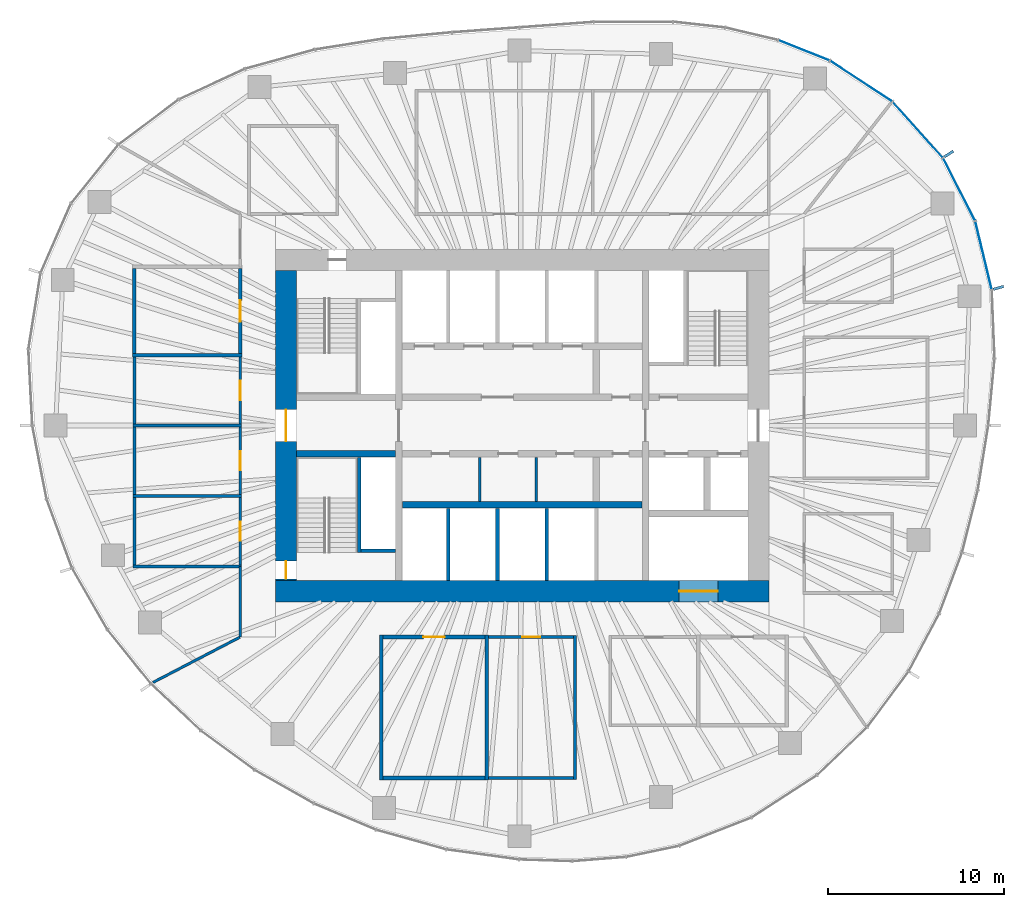
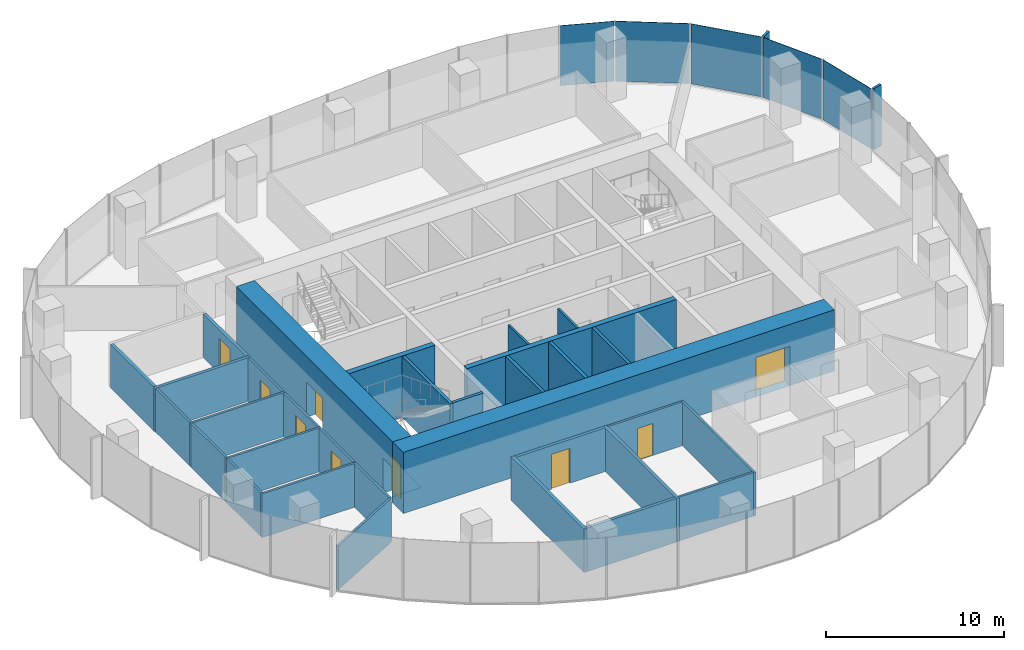
# One storey, part 8 of 12: 32 walls, 9 doors, 7 plates, 9 openings, 3 elements without a shape of their own.
"""IFC4 building model written with IfcOpenShell, lengths in metres."""

from ifc_helpers import new_model, si_unit, direction, frame, frame_2d, origin, origin_2d, place, context, subcontext, project, spatial, rectangle, extrude, material, layer, layer_set, type_object, element, fill, aggregate, save


model = new_model("IFC4")

# Units and contexts
model_context = context("Model", 3, precision=1e-05, world=origin(), true_north=direction((0.0, 1.0)))
body_context = subcontext(model_context, "Body", "Model", "MODEL_VIEW")
ifc_project = project(units=[si_unit("LENGTHUNIT", "METRE"), si_unit("AREAUNIT", "SQUARE_METRE"), si_unit("VOLUMEUNIT", "CUBIC_METRE"), si_unit("PLANEANGLEUNIT", "RADIAN"), si_unit("MASSUNIT", "GRAM", prefix="KILO")], contexts=[model_context])

# Site, building, storey
site_placement = place(None, origin())
site = spatial("IfcSite", under=ifc_project, at=site_placement, CompositionType="ELEMENT")
building_placement = place(site_placement, origin())
building = spatial("IfcBuilding", under=site, at=building_placement, Name="Ghaith Harvest Tower", CompositionType="ELEMENT")
storey_placement = place(building_placement, frame((0.0, 0.0, 224.199951171875)))
storey = spatial("IfcBuildingStorey", under=building, at=storey_placement, Name="L49", CompositionType="ELEMENT", Elevation=224.199951171875)

# Curtain wall, plates
ifc_material_1 = material(Name="Black anodised aluminium and fritted glass", Category="aluminium")
curtain_wall_type = type_object("IfcCurtainWallType", Name="CW-H CURTAIN WALL", PredefinedType="NOTDEFINED", material=ifc_material_1)
curtain_wall_1_placement = place(storey_placement, origin())
curtain_wall_1 = element("IfcCurtainWall", 1, at=curtain_wall_1_placement, inside=storey, type_object=curtain_wall_type, Name="Curtain wall CW-H bay 02 L49", PredefinedType="NOTDEFINED")
ifc_material_2 = material(Name="Glass, dark solar-control fritted double glazed unit", Category="glass")
ifc_layer_1 = layer(ifc_material_2, 0.030029296875)
ifc_layer_set_1 = layer_set([ifc_layer_1], Name="CW-H VISION PANEL")
plate_type_1 = type_object("IfcPlateType", Name="CW-H VISION PANEL", PredefinedType="CURTAIN_PANEL", material=ifc_layer_set_1)
plate_1_placement = place(storey_placement, frame((26.1767578125, 9.6533203125, 0.080078125), z_axis=(0.0, 0.0, 1.0), x_axis=(-0.233894000303, 0.972262102842, 0.0)))
plate_1 = element("IfcPlate", 2, at=plate_1_placement, type_object=plate_type_1, Name="CW-H glass unit 1 bay 02 L49", PredefinedType="CURTAIN_PANEL", context=body_context, shape_type="SweptSolid", body=[
    extrude(rectangle(XDim=3.935546875, YDim=0.030029296875, at=origin_2d()), origin(), (0.0, 0.0, 1.0), 4.1201171875),
])
plate_2_placement = place(storey_placement, frame((24.790771484375, 13.399658203125, 0.080078125), z_axis=(0.0, 0.0, 1.0), x_axis=(-0.454915320985, 0.890534699342, 0.0)))
plate_2 = element("IfcPlate", 3, at=plate_2_placement, type_object=plate_type_1, Name="CW-H glass unit 2 bay 02 L49", PredefinedType="CURTAIN_PANEL", context=body_context, shape_type="SweptSolid", body=[
    extrude(rectangle(XDim=3.949462890625, YDim=0.030029296875, at=origin_2d()), origin(), (0.0, 0.0, 1.0), 4.1201171875),
])
aggregate(curtain_wall_1, [plate_1, plate_2])

curtain_wall_2_placement = place(storey_placement, origin())
curtain_wall_2 = element("IfcCurtainWall", 4, at=curtain_wall_2_placement, inside=storey, type_object=curtain_wall_type, Name="Curtain wall CW-H bay 03 L49", PredefinedType="NOTDEFINED")
plate_3_placement = place(storey_placement, frame((22.44384765625, 16.783935546875, 0.080078125), z_axis=(0.0, 0.0, 1.0), x_axis=(-0.668757736889, 0.743480389352, 0.0)))
plate_3 = element("IfcPlate", 5, at=plate_3_placement, type_object=plate_type_1, Name="CW-H glass unit 1 bay 03 L49", PredefinedType="CURTAIN_PANEL", context=body_context, shape_type="SweptSolid", body=[
    extrude(rectangle(XDim=4.19775390625, YDim=0.030029296875, at=origin_2d()), origin(), (0.0, 0.0, 1.0), 4.1201171875),
])
plate_4_placement = place(storey_placement, frame((19.236328125, 19.539306640625, 0.080078125), z_axis=(0.0, 0.0, 1.0), x_axis=(-0.836276741583, 0.548307588392, 0.0)))
plate_4 = element("IfcPlate", 6, at=plate_4_placement, type_object=plate_type_1, Name="CW-H glass unit 2 bay 03 L49", PredefinedType="CURTAIN_PANEL", context=body_context, shape_type="SweptSolid", body=[
    extrude(rectangle(XDim=4.169677734375, YDim=0.030029296875, at=origin_2d()), origin(), (0.0, 0.0, 1.0), 4.1201171875),
])
aggregate(curtain_wall_2, [plate_3, plate_4])

# Curtain wall, plate
curtain_wall_3_placement = place(storey_placement, origin())
curtain_wall_3 = element("IfcCurtainWall", 7, at=curtain_wall_3_placement, inside=storey, type_object=curtain_wall_type, Name="Curtain wall CW-H bay 04 L49", PredefinedType="NOTDEFINED")
plate_5_placement = place(storey_placement, frame((15.993408203125, 21.287841796875, 0.080078125), z_axis=(0.0, 0.0, 1.0), x_axis=(-0.929107322045, 0.369810200133, 0.0)))
plate_5 = element("IfcPlate", 8, at=plate_5_placement, type_object=plate_type_1, Name="CW-H glass unit 1 bay 04 L49", PredefinedType="CURTAIN_PANEL", context=body_context, shape_type="SweptSolid", body=[
    extrude(rectangle(XDim=3.075927734375, YDim=0.030029296875, at=origin_2d()), origin(), (0.0, 0.0, 1.0), 4.1201171875),
])
aggregate(curtain_wall_3, [plate_5])

# Plates
ifc_material_3 = material(Name="Glassfibre-reinforced concrete", Category="concrete")
ifc_layer_2 = layer(ifc_material_3, 0.14990234375)
ifc_layer_set_2 = layer_set([ifc_layer_2], Name="SUN-BREAKER FIN 600x150")
plate_type_2 = type_object("IfcPlateType", Name="SUN-BREAKER FIN 600x150", PredefinedType="USERDEFINED", material=ifc_layer_set_2)
for number, where, z_axis, x_axis, name in (
    (9, (27.03076171875, 7.8125, 0.0), (0.0, 0.0, 1.0), (0.960680349985, 0.277656739792, 0.0), "Sun-breaker fin CW-H 1 bay 02 L49"),
    (10, (24.211669921875, 15.408447265625, 0.0), (0.0, 0.0, 1.0), (0.843643971464, 0.536903016766, 0.0), "Sun-breaker fin CW-H 1 bay 03 L49"),
):
    element("IfcPlate", number, at=place(storey_placement, frame(where, z_axis=z_axis, x_axis=x_axis)), inside=storey, type_object=plate_type_2, Name=name, ObjectType="SUN-BREAKER FIN", PredefinedType="USERDEFINED", context=body_context, shape_type="SweptSolid", body=[
        extrude(rectangle(XDim=0.60009765625, YDim=0.14990234375, at=origin_2d()), origin(), (0.0, 0.0, 1.0), 4.199951171875),
    ])

# Walls
ifc_material_4 = material(Name="Twin-stud gypsum board, acoustic", Category="gypsum")
ifc_layer_3 = layer(ifc_material_4, 0.199951171875)
ifc_layer_set_3 = layer_set([ifc_layer_3], Name="ACOUSTIC PARTITION 200")
wall_type_1 = type_object("IfcWallType", Name="ACOUSTIC PARTITION 200", PredefinedType="PARTITIONING", material=ifc_layer_set_3)
for number, where, z_axis, x_axis, name in (
    (11, (-8.0, -11.89990234375, 0.0), (0.0, 0.0, 1.0), (0.0, -1.0, 0.0), "Partition L49 row S3 cross wall 1"),
    (12, (-2.0, -11.89990234375, 0.0), (0.0, 0.0, 1.0), (0.0, -1.0, 0.0), "Partition L49 row S3 cross wall 2"),
):
    element("IfcWall", number, at=place(storey_placement, frame(where, z_axis=z_axis, x_axis=x_axis)), inside=storey, type_object=wall_type_1, Name=name, PredefinedType="PARTITIONING", context=body_context, shape_type="SweptSolid", body=[
        extrude(rectangle(XDim=8.2001953125, YDim=0.199951171875, at=frame_2d((4.10009765625, 0.0))), origin(), (0.0, 0.0, 1.0), 3.0),
    ])

# Wall, opening, door
wall_1_placement = place(storey_placement, frame((-7.89990234375, -12.0, 0.0), z_axis=(0.0, 0.0, 1.0), x_axis=(1.0, 0.0, 0.0)))
wall_1 = element("IfcWall", 13, at=wall_1_placement, inside=storey, type_object=wall_type_1, Name="Partition L49-04", PredefinedType="PARTITIONING", context=body_context, shape_type="SweptSolid", body=[
    extrude(rectangle(XDim=5.7998046875, YDim=0.199951171875, at=frame_2d((2.89990234375, 0.0))), origin(), (0.0, 0.0, 1.0), 3.0),
])
opening_1_placement = place(wall_1_placement, frame((2.300048828125, 0.0, 0.0)))
opening_1 = element("IfcOpeningElement", 14, at=opening_1_placement, cuts=wall_1, Name="Opening 49-024", PredefinedType="OPENING", context=body_context, shape_type="SweptSolid", body=[
    extrude(rectangle(XDim=1.199951171875, YDim=2.39990234375, at=frame_2d((0.60009765625, 1.199951171875))), frame((0.0, 0.10986328125, 0.0), z_axis=(0.0, -1.0, 0.0), x_axis=(1.0, 0.0, 0.0)), (0.0, 0.0, 1.0), 0.219970703125),
])
ifc_material_5 = material(Name="Timber door", Category="wood")
door_type_1 = type_object("IfcDoorType", Name="D11 GLAZED 1200x2400", OperationType="SINGLE_SWING_LEFT", PredefinedType="DOOR", material=ifc_material_5)
door_1_placement = place(opening_1_placement, origin())
door_1 = element("IfcDoor", 15, at=door_1_placement, inside=storey, type_object=door_type_1, Name="Meeting room door", OperationType="SINGLE_SWING_LEFT", OverallHeight=2.39990234375, OverallWidth=1.199951171875, PredefinedType="DOOR", context=body_context, shape_type="SweptSolid", body=[
    extrude(rectangle(XDim=1.199951171875, YDim=2.39990234375, at=frame_2d((0.60009765625, 1.199951171875))), frame((0.0, 0.02490234375, 0.0), z_axis=(0.0, -1.0, 0.0), x_axis=(1.0, 0.0, 0.0)), (0.0, 0.0, 1.0), 0.050048828125),
])
fill(opening_1, door_1)

# Walls
wall_2_placement = place(storey_placement, frame((-7.89990234375, -20.0, 0.0), z_axis=(0.0, 0.0, 1.0), x_axis=(1.0, 0.0, 0.0)))
element("IfcWall", 16, at=wall_2_placement, inside=storey, type_object=wall_type_1, Name="Partition L49-04", PredefinedType="PARTITIONING", context=body_context, shape_type="SweptSolid", body=[
    extrude(rectangle(XDim=5.7998046875, YDim=0.199951171875, at=frame_2d((2.89990234375, 0.0))), origin(), (0.0, 0.0, 1.0), 3.0),
])
wall_3_placement = place(storey_placement, frame((-15.89990234375, 4.0, 0.0), z_axis=(0.0, 0.0, 1.0), x_axis=(-1.0, 0.0, 0.0)))
element("IfcWall", 17, at=wall_3_placement, inside=storey, type_object=wall_type_1, Name="Partition L49 row W6 cross wall 4", PredefinedType="PARTITIONING", context=body_context, shape_type="SweptSolid", body=[
    extrude(rectangle(XDim=6.2001953125, YDim=0.199951171875, at=frame_2d((3.10009765625, 0.0))), origin(), (0.0, 0.0, 1.0), 3.0),
])

# Wall, opening, door
wall_4_placement = place(storey_placement, frame((-16.0, 4.10009765625, 0.0), z_axis=(0.0, 0.0, 1.0), x_axis=(0.0, 1.0, 0.0)))
wall_4 = element("IfcWall", 18, at=wall_4_placement, inside=storey, type_object=wall_type_1, Name="Partition L49-12", PredefinedType="PARTITIONING", context=body_context, shape_type="SweptSolid", body=[
    extrude(rectangle(XDim=4.7998046875, YDim=0.199951171875, at=frame_2d((2.39990234375, 0.0))), origin(), (0.0, 0.0, 1.0), 3.0),
])
opening_2_placement = place(wall_4_placement, frame((1.800048828125, 0.0, 0.0)))
opening_2 = element("IfcOpeningElement", 19, at=opening_2_placement, cuts=wall_4, Name="Opening 49-032", PredefinedType="OPENING", context=body_context, shape_type="SweptSolid", body=[
    extrude(rectangle(XDim=1.199951171875, YDim=2.39990234375, at=frame_2d((0.60009765625, 1.199951171875))), frame((0.0, 0.10986328125, 0.0), z_axis=(0.0, -1.0, 0.0), x_axis=(1.0, 0.0, 0.0)), (0.0, 0.0, 1.0), 0.219970703125),
])
door_2_placement = place(opening_2_placement, origin())
door_2 = element("IfcDoor", 20, at=door_2_placement, inside=storey, type_object=door_type_1, Name="Meeting room door", OperationType="SINGLE_SWING_LEFT", OverallHeight=2.39990234375, OverallWidth=1.199951171875, PredefinedType="DOOR", context=body_context, shape_type="SweptSolid", body=[
    extrude(rectangle(XDim=1.199951171875, YDim=2.39990234375, at=frame_2d((0.60009765625, 1.199951171875))), frame((0.0, 0.02490234375, 0.0), z_axis=(0.0, -1.0, 0.0), x_axis=(1.0, 0.0, 0.0)), (0.0, 0.0, 1.0), 0.050048828125),
])
fill(opening_2, door_2)

# Walls
wall_5_placement = place(storey_placement, frame((-22.0, 4.10009765625, 0.0), z_axis=(0.0, 0.0, 1.0), x_axis=(0.0, 1.0, 0.0)))
element("IfcWall", 21, at=wall_5_placement, inside=storey, type_object=wall_type_1, Name="Partition L49-12", PredefinedType="PARTITIONING", context=body_context, shape_type="SweptSolid", body=[
    extrude(rectangle(XDim=4.7998046875, YDim=0.199951171875, at=frame_2d((2.39990234375, 0.0))), origin(), (0.0, 0.0, 1.0), 3.0),
])
ifc_material_6 = material(Name="Concrete blockwork, fair-faced", Category="masonry")
ifc_layer_4 = layer(ifc_material_6, 0.139892578125)
ifc_layer_set_4 = layer_set([ifc_layer_4], Name="CORE PARTITION 140")
wall_type_2 = type_object("IfcWallType", Name="CORE PARTITION 140", PredefinedType="PARTITIONING", material=ifc_layer_set_4)
for number, where, z_axis, x_axis, name in (
    (22, (-2.39990234375, -1.800048828125, 0.0), (0.0, 0.0, 1.0), (0.0, -1.0, 0.0), "Core partition L49"),
    (23, (0.800048828125, -1.800048828125, 0.0), (0.0, 0.0, 1.0), (0.0, -1.0, 0.0), "Core partition L49"),
):
    element("IfcWall", number, at=place(storey_placement, frame(where, z_axis=z_axis, x_axis=x_axis)), inside=storey, type_object=wall_type_2, Name=name, PredefinedType="PARTITIONING", context=body_context, shape_type="SweptSolid", body=[
        extrude(rectangle(XDim=2.5, YDim=0.139892578125, at=frame_2d((1.25, 0.0))), origin(), (0.0, 0.0, 1.0), 3.949951171875),
    ])

# Wall, opening, door
ifc_material_7 = material(Name="Concrete C60/75", Category="concrete")
ifc_layer_5 = layer(ifc_material_7, 1.199951171875)
ifc_layer_set_5 = layer_set([ifc_layer_5], Name="CORE WALL CW1200 C60")
wall_type_3 = type_object("IfcWallType", Name="CORE WALL CW1200 C60", PredefinedType="SHEAR", material=ifc_layer_set_5)
wall_6_placement = place(storey_placement, frame((-14.0, -9.39990234375, 0.0), z_axis=(0.0, 0.0, 1.0), x_axis=(1.0, 0.0, 0.0)))
wall_6 = element("IfcWall", 24, at=wall_6_placement, inside=storey, type_object=wall_type_3, Name="Core wall S L49", PredefinedType="SHEAR", context=body_context, shape_type="SweptSolid", body=[
    extrude(rectangle(XDim=28.0, YDim=1.199951171875, at=frame_2d((14.0, 0.0))), origin(), (0.0, 0.0, 1.0), 4.199951171875),
])
opening_3_placement = place(wall_6_placement, frame((22.89990234375, 0.0, 0.0)))
opening_3 = element("IfcOpeningElement", 25, at=opening_3_placement, cuts=wall_6, Name="Opening 49-020", PredefinedType="OPENING", context=body_context, shape_type="SweptSolid", body=[
    extrude(rectangle(XDim=2.199951171875, YDim=2.699951171875, at=frame_2d((1.10009765625, 1.35009765625))), frame((0.0, 0.60986328125, 0.0), z_axis=(0.0, -1.0, 0.0), x_axis=(1.0, 0.0, 0.0)), (0.0, 0.0, 1.0), 1.219970703125),
])
ifc_material_8 = material(Name="Steel fire door", Category="steel")
door_type_2 = type_object("IfcDoorType", Name="LD3 LANDING 2200x2700", OperationType="DOUBLE_DOOR_SLIDING", PredefinedType="DOOR", material=ifc_material_8)
door_3_placement = place(opening_3_placement, origin())
door_3 = element("IfcDoor", 26, at=door_3_placement, inside=storey, type_object=door_type_2, Name="Landing door, goods lift GL1", OperationType="DOUBLE_DOOR_SLIDING", OverallHeight=2.699951171875, OverallWidth=2.199951171875, PredefinedType="DOOR", context=body_context, shape_type="SweptSolid", body=[
    extrude(rectangle(XDim=2.199951171875, YDim=2.699951171875, at=frame_2d((1.10009765625, 1.35009765625))), frame((0.0, 0.02490234375, 0.0), z_axis=(0.0, -1.0, 0.0), x_axis=(1.0, 0.0, 0.0)), (0.0, 0.0, 1.0), 0.050048828125),
])
fill(opening_3, door_3)

# Wall, openings, doors
wall_7_placement = place(storey_placement, frame((-13.39990234375, 8.800048828125, 0.0), z_axis=(0.0, 0.0, 1.0), x_axis=(0.0, -1.0, 0.0)))
wall_7 = element("IfcWall", 27, at=wall_7_placement, inside=storey, type_object=wall_type_3, Name="Core wall W L49", PredefinedType="SHEAR", context=body_context, shape_type="SweptSolid", body=[
    extrude(rectangle(XDim=17.60009765625, YDim=1.199951171875, at=frame_2d((8.800048828125, 0.0))), origin(), (0.0, 0.0, 1.0), 4.199951171875),
])
opening_4_placement = place(wall_7_placement, frame((7.89990234375, 0.0, 0.0)))
opening_4 = element("IfcOpeningElement", 28, at=opening_4_placement, cuts=wall_7, Name="Opening 49-001", PredefinedType="OPENING", context=body_context, shape_type="SweptSolid", body=[
    extrude(rectangle(XDim=1.800048828125, YDim=2.39990234375, at=frame_2d((0.89990234375, 1.199951171875))), frame((0.0, 0.60986328125, 0.0), z_axis=(0.0, -1.0, 0.0), x_axis=(1.0, 0.0, 0.0)), (0.0, 0.0, 1.0), 1.219970703125),
])
opening_5_placement = place(wall_7_placement, frame((16.5, 0.0, 0.0)))
opening_5 = element("IfcOpeningElement", 29, at=opening_5_placement, cuts=wall_7, Name="Opening 49-006", PredefinedType="OPENING", context=body_context, shape_type="SweptSolid", body=[
    extrude(rectangle(XDim=1.0, YDim=2.39990234375, at=frame_2d((0.5, 1.199951171875))), frame((0.0, 0.60986328125, 0.0), z_axis=(0.0, -1.0, 0.0), x_axis=(1.0, 0.0, 0.0)), (0.0, 0.0, 1.0), 1.219970703125),
])
ifc_material_9 = material(Name="Steel fire door", Category="steel")
door_type_3 = type_object("IfcDoorType", Name="D3 FD90 1000x2400", OperationType="SINGLE_SWING_LEFT", PredefinedType="DOOR", material=ifc_material_9)
door_4_placement = place(opening_5_placement, origin())
door_4 = element("IfcDoor", 30, at=door_4_placement, inside=storey, type_object=door_type_3, Name="Stair ST3 door", OperationType="SINGLE_SWING_RIGHT", OverallHeight=2.39990234375, OverallWidth=1.0, PredefinedType="DOOR", context=body_context, shape_type="SweptSolid", body=[
    extrude(rectangle(XDim=1.0, YDim=2.39990234375, at=frame_2d((0.5, 1.199951171875))), frame((0.0, 0.02490234375, 0.0), z_axis=(0.0, -1.0, 0.0), x_axis=(1.0, 0.0, 0.0)), (0.0, 0.0, 1.0), 0.050048828125),
])
fill(opening_5, door_4)
ifc_material_10 = material(Name="Steel fire door", Category="steel")
door_type_4 = type_object("IfcDoorType", Name="D4 FD90 PAIR 1800x2400", OperationType="DOUBLE_DOOR_SINGLE_SWING", PredefinedType="DOOR", material=ifc_material_10)
door_5_placement = place(opening_4_placement, origin())
door_5 = element("IfcDoor", 31, at=door_5_placement, inside=storey, type_object=door_type_4, Name="West lobby doors", OperationType="DOUBLE_DOOR_SINGLE_SWING", OverallHeight=2.39990234375, OverallWidth=1.800048828125, PredefinedType="DOOR", context=body_context, shape_type="SweptSolid", body=[
    extrude(rectangle(XDim=1.800048828125, YDim=2.39990234375, at=frame_2d((0.89990234375, 1.199951171875))), frame((0.0, 0.02490234375, 0.0), z_axis=(0.0, -1.0, 0.0), x_axis=(1.0, 0.0, 0.0)), (0.0, 0.0, 1.0), 0.050048828125),
])
fill(opening_4, door_5)

# Walls
ifc_material_11 = material(Name="Concrete blockwork, 2-hour", Category="masonry")
ifc_layer_6 = layer(ifc_material_11, 0.199951171875)
ifc_layer_set_6 = layer_set([ifc_layer_6], Name="LIFT SHAFT WALL 200")
wall_type_4 = type_object("IfcWallType", Name="LIFT SHAFT WALL 200", PredefinedType="PARTITIONING", material=ifc_layer_set_6)
for number, where, z_axis, x_axis, name in (
    (32, (-4.199951171875, -4.699951171875, 0.0), (0.0, 0.0, 1.0), (0.0, -1.0, 0.0), "Lift shaft wall L49"),
    (33, (-1.39990234375, -4.699951171875, 0.0), (0.0, 0.0, 1.0), (0.0, -1.0, 0.0), "Lift shaft wall L49"),
    (34, (1.39990234375, -4.699951171875, 0.0), (0.0, 0.0, 1.0), (0.0, -1.0, 0.0), "Lift shaft wall L49"),
):
    element("IfcWall", number, at=place(storey_placement, frame(where, z_axis=z_axis, x_axis=x_axis)), inside=storey, type_object=wall_type_4, Name=name, PredefinedType="PARTITIONING", context=body_context, shape_type="SweptSolid", body=[
        extrude(rectangle(XDim=4.10009765625, YDim=0.199951171875, at=frame_2d((2.050048828125, 0.0))), origin(), (0.0, 0.0, 1.0), 4.199951171875),
    ])
ifc_material_12 = material(Name="Gypsum board on steel studs", Category="steel")
ifc_layer_7 = layer(ifc_material_12, 0.14990234375)
ifc_layer_set_7 = layer_set([ifc_layer_7], Name="PARTITION 150")
wall_type_5 = type_object("IfcWallType", Name="PARTITION 150", PredefinedType="PARTITIONING", material=ifc_layer_set_7)
wall_8_placement = place(storey_placement, frame((3.0, -11.925048828125, 0.0), z_axis=(0.0, 0.0, 1.0), x_axis=(0.0, -1.0, 0.0)))
element("IfcWall", 35, at=wall_8_placement, inside=storey, type_object=wall_type_5, Name="Partition L49 row S3 cross wall 3", PredefinedType="PARTITIONING", context=body_context, shape_type="SweptSolid", body=[
    extrude(rectangle(XDim=8.14990234375, YDim=0.14990234375, at=frame_2d((4.074951171875, 0.0))), origin(), (0.0, 0.0, 1.0), 3.0),
])

# Wall, opening, door
wall_9_placement = place(storey_placement, frame((-1.89990234375, -12.0, 0.0), z_axis=(0.0, 0.0, 1.0), x_axis=(1.0, 0.0, 0.0)))
wall_9 = element("IfcWall", 36, at=wall_9_placement, inside=storey, type_object=wall_type_5, Name="Partition L49-05", PredefinedType="PARTITIONING", context=body_context, shape_type="SweptSolid", body=[
    extrude(rectangle(XDim=4.824951171875, YDim=0.14990234375, at=frame_2d((2.41259765625, 0.0))), origin(), (0.0, 0.0, 1.0), 3.0),
])
opening_6_placement = place(wall_9_placement, frame((1.91259765625, 0.0, 0.0)))
opening_6 = element("IfcOpeningElement", 37, at=opening_6_placement, cuts=wall_9, Name="Opening 49-025", PredefinedType="OPENING", context=body_context, shape_type="SweptSolid", body=[
    extrude(rectangle(XDim=1.0, YDim=2.199951171875, at=frame_2d((0.5, 1.10009765625))), frame((0.0, 0.0849609375, 0.0), z_axis=(0.0, -1.0, 0.0), x_axis=(1.0, 0.0, 0.0)), (0.0, 0.0, 1.0), 0.169921875),
])
ifc_material_13 = material(Name="Timber door", Category="wood")
door_type_5 = type_object("IfcDoorType", Name="D1 SINGLE 1000x2200", OperationType="SINGLE_SWING_LEFT", PredefinedType="DOOR", material=ifc_material_13)
door_6_placement = place(opening_6_placement, origin())
door_6 = element("IfcDoor", 38, at=door_6_placement, inside=storey, type_object=door_type_5, Name="Store door", OperationType="SINGLE_SWING_LEFT", OverallHeight=2.199951171875, OverallWidth=1.0, PredefinedType="DOOR", context=body_context, shape_type="SweptSolid", body=[
    extrude(rectangle(XDim=1.0, YDim=2.199951171875, at=frame_2d((0.5, 1.10009765625))), frame((0.0, 0.02490234375, 0.0), z_axis=(0.0, -1.0, 0.0), x_axis=(1.0, 0.0, 0.0)), (0.0, 0.0, 1.0), 0.050048828125),
])
fill(opening_6, door_6)

# Walls
wall_10_placement = place(storey_placement, frame((-1.89990234375, -20.0, 0.0), z_axis=(0.0, 0.0, 1.0), x_axis=(1.0, 0.0, 0.0)))
element("IfcWall", 39, at=wall_10_placement, inside=storey, type_object=wall_type_5, Name="Partition L49-05", PredefinedType="PARTITIONING", context=body_context, shape_type="SweptSolid", body=[
    extrude(rectangle(XDim=4.824951171875, YDim=0.14990234375, at=frame_2d((2.41259765625, 0.0))), origin(), (0.0, 0.0, 1.0), 3.0),
])
for number, where, z_axis, x_axis, name in (
    (40, (-15.925048828125, -8.0, 0.0), (0.0, 0.0, 1.0), (-1.0, 0.0, 0.0), "Partition L49 row W6 cross wall 1"),
    (41, (-15.925048828125, -4.0, 0.0), (0.0, 0.0, 1.0), (-1.0, 0.0, 0.0), "Partition L49 row W6 cross wall 2"),
    (42, (-15.925048828125, 0.0, 0.0), (0.0, 0.0, 1.0), (-1.0, 0.0, 0.0), "Partition L49 row W6 cross wall 3"),
):
    element("IfcWall", number, at=place(storey_placement, frame(where, z_axis=z_axis, x_axis=x_axis)), inside=storey, type_object=wall_type_5, Name=name, PredefinedType="PARTITIONING", context=body_context, shape_type="SweptSolid", body=[
        extrude(rectangle(XDim=6.14990234375, YDim=0.14990234375, at=frame_2d((3.074951171875, 0.0))), origin(), (0.0, 0.0, 1.0), 3.0),
    ])

# Wall, opening, door
wall_11_placement = place(storey_placement, frame((-16.0, -7.925048828125, 0.0), z_axis=(0.0, 0.0, 1.0), x_axis=(0.0, 1.0, 0.0)))
wall_11 = element("IfcWall", 43, at=wall_11_placement, inside=storey, type_object=wall_type_5, Name="Partition L49-09", PredefinedType="PARTITIONING", context=body_context, shape_type="SweptSolid", body=[
    extrude(rectangle(XDim=3.85009765625, YDim=0.14990234375, at=frame_2d((1.925048828125, 0.0))), origin(), (0.0, 0.0, 1.0), 3.0),
])
opening_7_placement = place(wall_11_placement, frame((1.375, 0.0, 0.0)))
opening_7 = element("IfcOpeningElement", 44, at=opening_7_placement, cuts=wall_11, Name="Opening 49-029", PredefinedType="OPENING", context=body_context, shape_type="SweptSolid", body=[
    extrude(rectangle(XDim=1.10009765625, YDim=2.300048828125, at=frame_2d((0.550048828125, 1.14990234375))), frame((0.0, 0.0849609375, 0.0), z_axis=(0.0, -1.0, 0.0), x_axis=(1.0, 0.0, 0.0)), (0.0, 0.0, 1.0), 0.169921875),
])
ifc_material_14 = material(Name="Timber-framed glazed door", Category="wood")
door_type_6 = type_object("IfcDoorType", Name="D12 GLAZED OFFICE 1100x2300", OperationType="SINGLE_SWING_LEFT", PredefinedType="DOOR", material=ifc_material_14)
door_7_placement = place(opening_7_placement, origin())
door_7 = element("IfcDoor", 45, at=door_7_placement, inside=storey, type_object=door_type_6, Name="Office door", OperationType="SINGLE_SWING_LEFT", OverallHeight=2.300048828125, OverallWidth=1.10009765625, PredefinedType="DOOR", context=body_context, shape_type="SweptSolid", body=[
    extrude(rectangle(XDim=1.10009765625, YDim=2.300048828125, at=frame_2d((0.550048828125, 1.14990234375))), frame((0.0, 0.02490234375, 0.0), z_axis=(0.0, -1.0, 0.0), x_axis=(1.0, 0.0, 0.0)), (0.0, 0.0, 1.0), 0.050048828125),
])
fill(opening_7, door_7)

# Wall
wall_12_placement = place(storey_placement, frame((-22.0, -7.925048828125, 0.0), z_axis=(0.0, 0.0, 1.0), x_axis=(0.0, 1.0, 0.0)))
element("IfcWall", 46, at=wall_12_placement, inside=storey, type_object=wall_type_5, Name="Partition L49-09", PredefinedType="PARTITIONING", context=body_context, shape_type="SweptSolid", body=[
    extrude(rectangle(XDim=3.85009765625, YDim=0.14990234375, at=frame_2d((1.925048828125, 0.0))), origin(), (0.0, 0.0, 1.0), 3.0),
])

# Wall, opening, door
wall_13_placement = place(storey_placement, frame((-16.0, -3.925048828125, 0.0), z_axis=(0.0, 0.0, 1.0), x_axis=(0.0, 1.0, 0.0)))
wall_13 = element("IfcWall", 47, at=wall_13_placement, inside=storey, type_object=wall_type_5, Name="Partition L49-10", PredefinedType="PARTITIONING", context=body_context, shape_type="SweptSolid", body=[
    extrude(rectangle(XDim=3.85009765625, YDim=0.14990234375, at=frame_2d((1.925048828125, 0.0))), origin(), (0.0, 0.0, 1.0), 3.0),
])
opening_8_placement = place(wall_13_placement, frame((1.375, 0.0, 0.0)))
opening_8 = element("IfcOpeningElement", 48, at=opening_8_placement, cuts=wall_13, Name="Opening 49-030", PredefinedType="OPENING", context=body_context, shape_type="SweptSolid", body=[
    extrude(rectangle(XDim=1.10009765625, YDim=2.300048828125, at=frame_2d((0.550048828125, 1.14990234375))), frame((0.0, 0.0849609375, 0.0), z_axis=(0.0, -1.0, 0.0), x_axis=(1.0, 0.0, 0.0)), (0.0, 0.0, 1.0), 0.169921875),
])
door_8_placement = place(opening_8_placement, origin())
door_8 = element("IfcDoor", 49, at=door_8_placement, inside=storey, type_object=door_type_6, Name="Office door", OperationType="SINGLE_SWING_LEFT", OverallHeight=2.300048828125, OverallWidth=1.10009765625, PredefinedType="DOOR", context=body_context, shape_type="SweptSolid", body=[
    extrude(rectangle(XDim=1.10009765625, YDim=2.300048828125, at=frame_2d((0.550048828125, 1.14990234375))), frame((0.0, 0.02490234375, 0.0), z_axis=(0.0, -1.0, 0.0), x_axis=(1.0, 0.0, 0.0)), (0.0, 0.0, 1.0), 0.050048828125),
])
fill(opening_8, door_8)

# Wall
wall_14_placement = place(storey_placement, frame((-22.0, -3.925048828125, 0.0), z_axis=(0.0, 0.0, 1.0), x_axis=(0.0, 1.0, 0.0)))
element("IfcWall", 50, at=wall_14_placement, inside=storey, type_object=wall_type_5, Name="Partition L49-10", PredefinedType="PARTITIONING", context=body_context, shape_type="SweptSolid", body=[
    extrude(rectangle(XDim=3.85009765625, YDim=0.14990234375, at=frame_2d((1.925048828125, 0.0))), origin(), (0.0, 0.0, 1.0), 3.0),
])

# Wall, opening, door
wall_15_placement = place(storey_placement, frame((-16.0, 0.074951171875, 0.0), z_axis=(0.0, 0.0, 1.0), x_axis=(0.0, 1.0, 0.0)))
wall_15 = element("IfcWall", 51, at=wall_15_placement, inside=storey, type_object=wall_type_5, Name="Partition L49-11", PredefinedType="PARTITIONING", context=body_context, shape_type="SweptSolid", body=[
    extrude(rectangle(XDim=3.824951171875, YDim=0.14990234375, at=frame_2d((1.91259765625, 0.0))), origin(), (0.0, 0.0, 1.0), 3.0),
])
opening_9_placement = place(wall_15_placement, frame((1.362548828125, 0.0, 0.0)))
opening_9 = element("IfcOpeningElement", 52, at=opening_9_placement, cuts=wall_15, Name="Opening 49-031", PredefinedType="OPENING", context=body_context, shape_type="SweptSolid", body=[
    extrude(rectangle(XDim=1.10009765625, YDim=2.300048828125, at=frame_2d((0.550048828125, 1.14990234375))), frame((0.0, 0.0849609375, 0.0), z_axis=(0.0, -1.0, 0.0), x_axis=(1.0, 0.0, 0.0)), (0.0, 0.0, 1.0), 0.169921875),
])
door_9_placement = place(opening_9_placement, origin())
door_9 = element("IfcDoor", 53, at=door_9_placement, inside=storey, type_object=door_type_6, Name="Office door", OperationType="SINGLE_SWING_LEFT", OverallHeight=2.300048828125, OverallWidth=1.10009765625, PredefinedType="DOOR", context=body_context, shape_type="SweptSolid", body=[
    extrude(rectangle(XDim=1.10009765625, YDim=2.300048828125, at=frame_2d((0.550048828125, 1.14990234375))), frame((0.0, 0.02490234375, 0.0), z_axis=(0.0, -1.0, 0.0), x_axis=(1.0, 0.0, 0.0)), (0.0, 0.0, 1.0), 0.050048828125),
])
fill(opening_9, door_9)

# Walls
wall_16_placement = place(storey_placement, frame((-22.0, 0.074951171875, 0.0), z_axis=(0.0, 0.0, 1.0), x_axis=(0.0, 1.0, 0.0)))
element("IfcWall", 54, at=wall_16_placement, inside=storey, type_object=wall_type_5, Name="Partition L49-11", PredefinedType="PARTITIONING", context=body_context, shape_type="SweptSolid", body=[
    extrude(rectangle(XDim=3.824951171875, YDim=0.14990234375, at=frame_2d((1.91259765625, 0.0))), origin(), (0.0, 0.0, 1.0), 3.0),
])
wall_17_placement = place(storey_placement, frame((-16.017578125, -12.00927734375, 0.0), z_axis=(0.0, 0.0, 1.0), x_axis=(-0.886831549241, -0.462092851351, 0.0)))
element("IfcWall", 55, at=wall_17_placement, inside=storey, type_object=wall_type_5, Name="Partition L49 zone division", PredefinedType="PARTITIONING", context=body_context, shape_type="SweptSolid", body=[
    extrude(rectangle(XDim=5.555419921875, YDim=0.14990234375, at=frame_2d((2.77783203125, 0.0))), origin(), (0.0, 0.0, 1.0), 3.0),
])
wall_18_placement = place(storey_placement, frame((-16.0, -8.0, 0.0), z_axis=(0.0, 0.0, 1.0), x_axis=(0.0, -1.0, 0.0)))
element("IfcWall", 56, at=wall_18_placement, inside=storey, type_object=wall_type_5, Name="Partition L49 zone enclosure", PredefinedType="PARTITIONING", context=body_context, shape_type="SweptSolid", body=[
    extrude(rectangle(XDim=4.0, YDim=0.14990234375, at=frame_2d((2.0, 0.0))), origin(), (0.0, 0.0, 1.0), 3.0),
])
ifc_material_15 = material(Name="Concrete C60/75", Category="concrete")
ifc_layer_8 = layer(ifc_material_15, 0.35009765625)
ifc_layer_set_8 = layer_set([ifc_layer_8], Name="SHAFT WALL 350")
wall_type_6 = type_object("IfcWallType", Name="SHAFT WALL 350", PredefinedType="SHEAR", material=ifc_layer_set_8)
wall_19_placement = place(storey_placement, frame((-6.800048828125, -4.5, 0.0), z_axis=(0.0, 0.0, 1.0), x_axis=(1.0, 0.0, 0.0)))
element("IfcWall", 57, at=wall_19_placement, inside=storey, type_object=wall_type_6, Name="Shaft wall BS L49", PredefinedType="SHEAR", context=body_context, shape_type="SweptSolid", body=[
    extrude(rectangle(XDim=13.60009765625, YDim=0.35009765625, at=frame_2d((6.800048828125, 0.0))), origin(), (0.0, 0.0, 1.0), 4.199951171875),
])
wall_20_placement = place(storey_placement, frame((-12.800048828125, -1.60009765625, 0.0), z_axis=(0.0, 0.0, 1.0), x_axis=(1.0, 0.0, 0.0)))
element("IfcWall", 58, at=wall_20_placement, inside=storey, type_object=wall_type_6, Name="Shaft wall WS L49", PredefinedType="SHEAR", context=body_context, shape_type="SweptSolid", body=[
    extrude(rectangle(XDim=5.60009765625, YDim=0.35009765625, at=frame_2d((2.800048828125, 0.0))), origin(), (0.0, 0.0, 1.0), 4.199951171875),
])
ifc_material_16 = material(Name="Concrete C40/50", Category="concrete")
ifc_layer_9 = layer(ifc_material_16, 0.199951171875)
ifc_layer_set_9 = layer_set([ifc_layer_9], Name="STAIR SPINE WALL RC200")
wall_type_7 = type_object("IfcWallType", Name="STAIR SPINE WALL RC200", PredefinedType="SOLIDWALL", material=ifc_layer_set_9)
wall_21_placement = place(storey_placement, frame((-9.25, -7.199951171875, 0.0), z_axis=(0.0, 0.0, 1.0), x_axis=(0.0, 1.0, 0.0)))
element("IfcWall", 59, at=wall_21_placement, inside=storey, type_object=wall_type_7, Name="Stair ST3 spine wall L49", PredefinedType="SOLIDWALL", context=body_context, shape_type="SweptSolid", body=[
    extrude(rectangle(XDim=5.39990234375, YDim=0.199951171875, at=frame_2d((2.699951171875, 0.0))), origin(), (0.0, 0.0, 1.0), 4.199951171875),
])
wall_22_placement = place(storey_placement, frame((-9.14990234375, -7.10009765625, 0.0), z_axis=(0.0, 0.0, 1.0), x_axis=(1.0, 0.0, 0.0)))
element("IfcWall", 60, at=wall_22_placement, inside=storey, type_object=wall_type_7, Name="Stair ST3 spine wall return L49", PredefinedType="SOLIDWALL", context=body_context, shape_type="SweptSolid", body=[
    extrude(rectangle(XDim=1.949951171875, YDim=0.199951171875, at=frame_2d((0.97509765625, 0.0))), origin(), (0.0, 0.0, 1.0), 4.199951171875),
])

save(model, "model.ifc")
